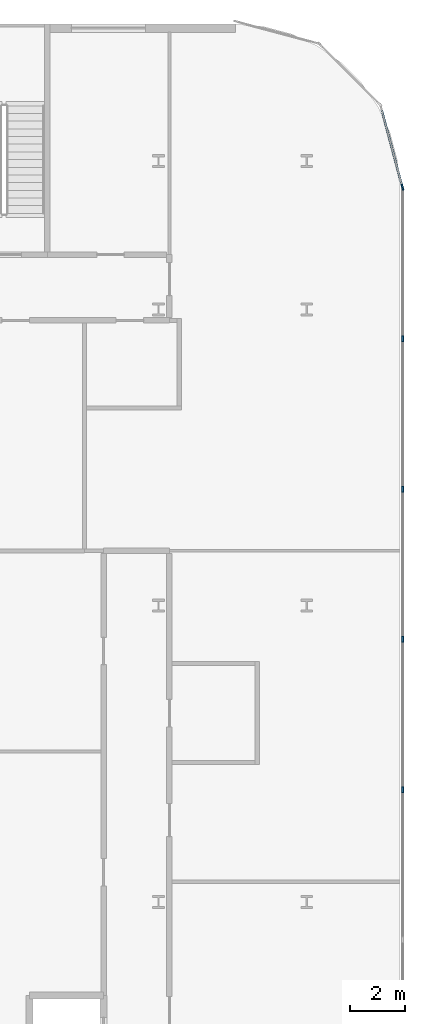
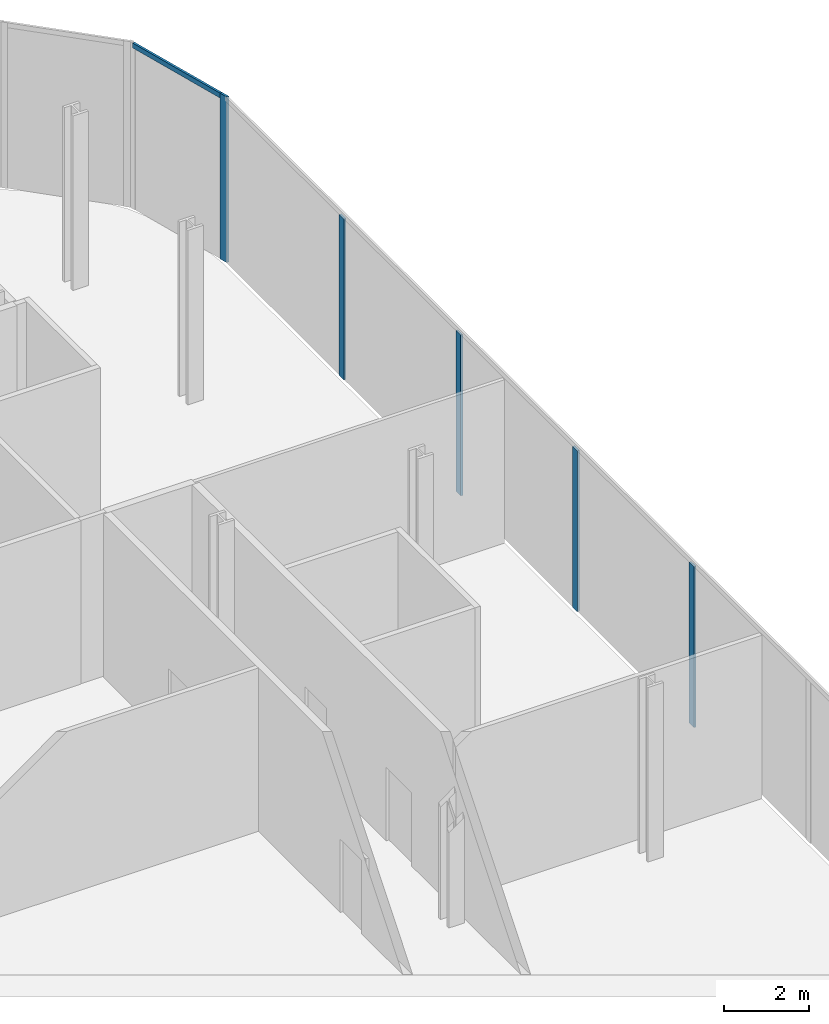
# One storey, part 20 of 47: 6 members, 2 elements without a shape of their own.
"""IFC4 building model written with IfcOpenShell, lengths in metres."""

from ifc_helpers import new_model, si_unit, direction, frame, origin, origin_2d, place, context, subcontext, project, spatial, rectangle, extrude, material, layer, layer_set, material_profile, profile_set, type_object, element, aggregate, save


model = new_model("IFC4")

# Units and contexts
model_context = context("Model", 3, precision=1e-05, world=origin(), true_north=direction((0.0, 1.0)))
body_context = subcontext(model_context, "Body", "Model", "MODEL_VIEW")
ifc_project = project(units=[si_unit("LENGTHUNIT", "METRE"), si_unit("AREAUNIT", "SQUARE_METRE"), si_unit("VOLUMEUNIT", "CUBIC_METRE"), si_unit("PLANEANGLEUNIT", "RADIAN"), si_unit("MASSUNIT", "GRAM", prefix="KILO")], contexts=[model_context])

# Site, building, storey
site_placement = place(None, origin())
site = spatial("IfcSite", under=ifc_project, at=site_placement, CompositionType="ELEMENT")
building_placement = place(site_placement, origin())
building = spatial("IfcBuilding", under=site, at=building_placement, Name="Kheshtan School and Residences Tower", CompositionType="ELEMENT")
storey_placement = place(building_placement, frame((0.0, 0.0, 7.5)))
storey = spatial("IfcBuildingStorey", under=building, at=storey_placement, Name="L01", CompositionType="ELEMENT", Elevation=7.5)

# Curtain wall, member
ifc_material_1 = material(Name="Clear low-e glass in thermally broken aluminium frame", Category="aluminium")
ifc_layer = layer(ifc_material_1, 0.22509765625)
ifc_layer_set = layer_set([ifc_layer], Name="Curtain wall CW-P")
curtain_wall_type = type_object("IfcCurtainWallType", Name="Curtain wall CW-P", PredefinedType="NOTDEFINED", material=ifc_layer_set)
curtain_wall_1_placement = place(storey_placement, origin())
curtain_wall_1 = element("IfcCurtainWall", 1, at=curtain_wall_1_placement, inside=storey, type_object=curtain_wall_type, Name="Curtain wall CWP7", PredefinedType="NOTDEFINED")
ifc_material_2 = material(Name="Thermally broken aluminium, dark bronze anodised", Category="aluminium")
ifc_material_profile_1 = material_profile(ifc_material_2, rectangle(XDim=0.06005859375, YDim=0.22509765625, at=origin_2d()), Name="CW-P mullion 60x225")
ifc_profile_set_1 = profile_set([ifc_material_profile_1], Name="Thermally broken aluminium, dark bronze anodised")
member_type_1 = type_object("IfcMemberType", Name="CW-P mullion 60x225", PredefinedType="MULLION", material=ifc_profile_set_1)
member_1_placement = place(storey_placement, frame((132.0888671875, 104.054931640625, 0.0), z_axis=(0.0, 0.0, 1.0), x_axis=(0.965913556273, 0.258864833085, 0.0)))
member_1 = element("IfcMember", 2, at=member_1_placement, type_object=member_type_1, Name="CWP7 mullion 2", PredefinedType="MULLION", context=body_context, shape_type="SweptSolid", body=[
    extrude(rectangle(XDim=0.06005859375, YDim=0.22509765625, at=origin_2d()), origin(), (0.0, 0.0, 1.0), 4.75),
])

# Curtain wall, members
curtain_wall_2_placement = place(storey_placement, origin())
curtain_wall_2 = element("IfcCurtainWall", 3, at=curtain_wall_2_placement, inside=storey, type_object=curtain_wall_type, Name="Curtain wall CWP8", PredefinedType="NOTDEFINED")
member_2_placement = place(storey_placement, frame((132.10009765625, 98.5244140625, 0.0), z_axis=(0.0, 0.0, 1.0), x_axis=(1.0, 0.0, 0.0)))
member_2 = element("IfcMember", 4, at=member_2_placement, type_object=member_type_1, Name="CWP8 mullion 2", PredefinedType="MULLION", context=body_context, shape_type="SweptSolid", body=[
    extrude(rectangle(XDim=0.06005859375, YDim=0.22509765625, at=origin_2d()), origin(), (0.0, 0.0, 1.0), 4.610107421875),
])
member_3_placement = place(storey_placement, frame((132.10009765625, 93.048828125, 0.0), z_axis=(0.0, 0.0, 1.0), x_axis=(1.0, 0.0, 0.0)))
member_3 = element("IfcMember", 5, at=member_3_placement, type_object=member_type_1, Name="CWP8 mullion 3", PredefinedType="MULLION", context=body_context, shape_type="SweptSolid", body=[
    extrude(rectangle(XDim=0.06005859375, YDim=0.22509765625, at=origin_2d()), origin(), (0.0, 0.0, 1.0), 4.610107421875),
])
member_4_placement = place(storey_placement, frame((132.10009765625, 87.5732421875, 0.0), z_axis=(0.0, 0.0, 1.0), x_axis=(1.0, 0.0, 0.0)))
member_4 = element("IfcMember", 6, at=member_4_placement, type_object=member_type_1, Name="CWP8 mullion 4", PredefinedType="MULLION", context=body_context, shape_type="SweptSolid", body=[
    extrude(rectangle(XDim=0.06005859375, YDim=0.22509765625, at=origin_2d()), origin(), (0.0, 0.0, 1.0), 4.610107421875),
])
member_5_placement = place(storey_placement, frame((132.10009765625, 82.09765625, 0.0), z_axis=(0.0, 0.0, 1.0), x_axis=(1.0, 0.0, 0.0)))
member_5 = element("IfcMember", 7, at=member_5_placement, type_object=member_type_1, Name="CWP8 mullion 5", PredefinedType="MULLION", context=body_context, shape_type="SweptSolid", body=[
    extrude(rectangle(XDim=0.06005859375, YDim=0.22509765625, at=origin_2d()), origin(), (0.0, 0.0, 1.0), 4.610107421875),
])
aggregate(curtain_wall_2, [member_2, member_3, member_4, member_5])

# Member
ifc_material_profile_2 = material_profile(ifc_material_2, rectangle(XDim=0.06005859375, YDim=0.139892578125, at=origin_2d()), Name="CW-P transom 60x140")
ifc_profile_set_2 = profile_set([ifc_material_profile_2], Name="Thermally broken aluminium, dark bronze anodised")
member_type_2 = type_object("IfcMemberType", Name="CW-P transom 60x140", PredefinedType="USERDEFINED", material=ifc_profile_set_2)
member_6_placement = place(storey_placement, frame((131.30810546875, 106.968017578125, 4.679931640625), z_axis=(0.258853238275, -0.965916663607, 0.0), x_axis=(0.965916663607, 0.258853238275, 0.0)))
member_6 = element("IfcMember", 8, at=member_6_placement, type_object=member_type_2, Name="CWP7 transom 1", ObjectType="TRANSOM", PredefinedType="USERDEFINED", context=body_context, shape_type="SweptSolid", body=[
    extrude(rectangle(XDim=0.06005859375, YDim=0.139892578125, at=origin_2d()), origin(), (0.0, 0.0, 1.0), 2.986083984375),
])

aggregate(curtain_wall_1, [member_1, member_6])

save(model, "model.ifc")
